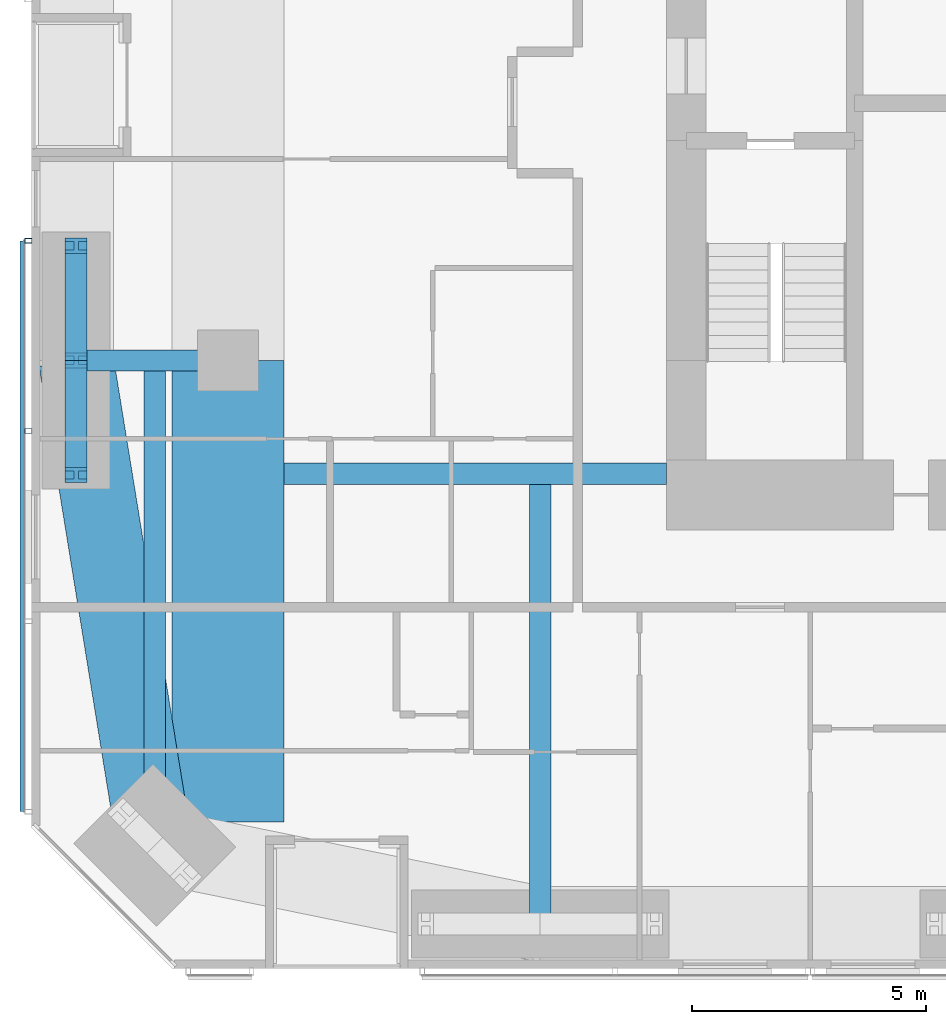
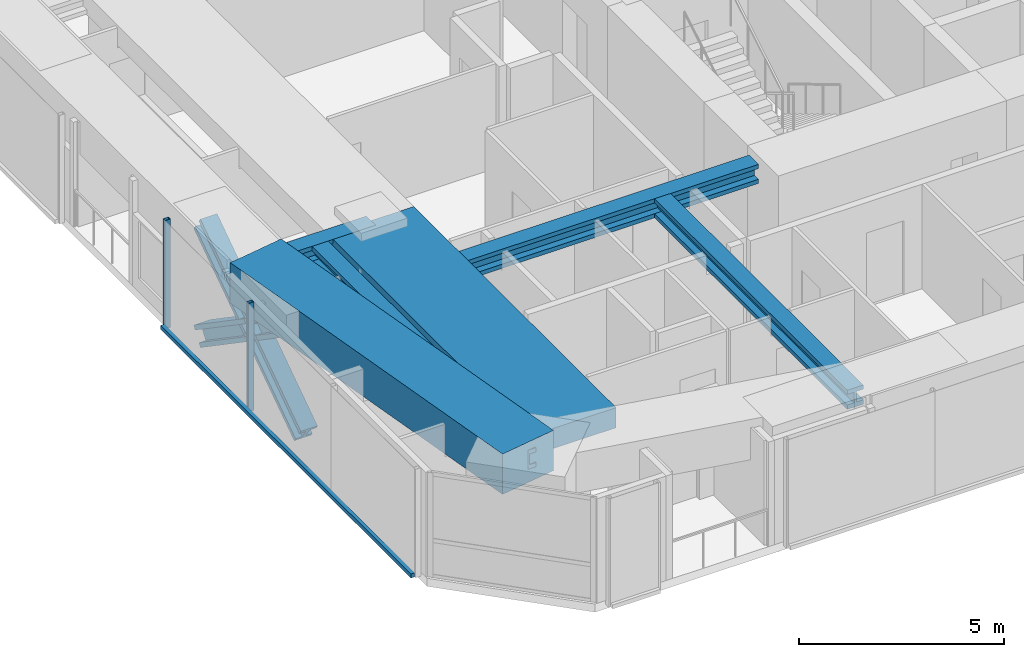
# One storey, part 3 of 23: 7 members, 6 beams, 1 element without a shape of its own.
"""IFC4 building model written with IfcOpenShell, lengths in metres."""

from ifc_helpers import new_model, si_unit, direction, frame, origin, origin_2d, place, context, subcontext, project, spatial, rectangle, hollow_rectangle, i_section, extrude, material, material_profile, profile_set, type_object, element, aggregate, save


model = new_model("IFC4")

# Units and contexts
model_context = context("Model", 3, precision=1e-05, world=origin(), true_north=direction((0.0, 1.0)))
body_context = subcontext(model_context, "Body", "Model", "MODEL_VIEW")
ifc_project = project(units=[si_unit("LENGTHUNIT", "METRE"), si_unit("AREAUNIT", "SQUARE_METRE"), si_unit("VOLUMEUNIT", "CUBIC_METRE"), si_unit("PLANEANGLEUNIT", "RADIAN"), si_unit("MASSUNIT", "GRAM", prefix="KILO")], contexts=[model_context])

# Site, building, storey
site_placement = place(None, origin())
site = spatial("IfcSite", under=ifc_project, at=site_placement, CompositionType="ELEMENT")
building_placement = place(site_placement, origin())
building = spatial("IfcBuilding", under=site, at=building_placement, Name="Jalousie Tower", CompositionType="ELEMENT")
storey_placement = place(building_placement, frame((0.0, 0.0, 114.89990234375)))
storey = spatial("IfcBuildingStorey", under=building, at=storey_placement, Name="L31", CompositionType="ELEMENT", Elevation=114.89990234375)

# Beams
ifc_material_1 = material(Name="Steel ASTM A992 Grade 50", Category="steel")
ifc_material_profile_1 = material_profile(ifc_material_1, i_section(OverallWidth=0.45458984375, OverallDepth=0.569091796875, WebThickness=0.077880859375, FlangeThickness=0.124755859375, at=origin_2d()), Name="W14X730")
ifc_profile_set_1 = profile_set([ifc_material_profile_1], Name="Steel ASTM A992 Grade 50")
beam_type_1 = type_object("IfcBeamType", Name="LEAN COLLECTOR W14X730", PredefinedType="BEAM", material=ifc_profile_set_1)
beam_1_placement = place(storey_placement, frame((6.949951171875, 13.0, 2.82568359375), z_axis=(1.0, 0.0, 0.0), x_axis=(0.0, 1.0, 0.0)))
element("IfcBeam", 1, at=beam_1_placement, inside=storey, type_object=beam_type_1, Name="Lean collector under L32", PredefinedType="BEAM", context=body_context, shape_type="SweptSolid", body=[
    extrude(i_section(OverallWidth=0.45458984375, OverallDepth=0.569091796875, WebThickness=0.077880859375, FlangeThickness=0.124755859375, at=origin_2d()), origin(), (0.0, 0.0, 1.0), 3.25),
])
beam_2_placement = place(storey_placement, frame((11.39990234375, 10.574951171875, 2.82568359375), z_axis=(1.0, 0.0, 0.0), x_axis=(0.0, 1.0, 0.0)))
element("IfcBeam", 2, at=beam_2_placement, inside=storey, type_object=beam_type_1, Name="Lean collector under L32", PredefinedType="BEAM", context=body_context, shape_type="SweptSolid", body=[
    extrude(i_section(OverallWidth=0.45458984375, OverallDepth=0.569091796875, WebThickness=0.077880859375, FlangeThickness=0.124755859375, at=origin_2d()), origin(), (0.0, 0.0, 1.0), 8.175048828125),
])
beam_3_placement = place(storey_placement, frame((8.63134765625, 2.63134765625, 2.82568359375), z_axis=(0.0, 1.0, 0.0), x_axis=(-1.0, 0.0, 0.0)))
element("IfcBeam", 3, at=beam_3_placement, inside=storey, type_object=beam_type_1, Name="Lean collector under L32", PredefinedType="BEAM", context=body_context, shape_type="SweptSolid", body=[
    extrude(i_section(OverallWidth=0.45458984375, OverallDepth=0.569091796875, WebThickness=0.077880859375, FlangeThickness=0.124755859375, at=origin_2d()), origin(), (0.0, 0.0, 1.0), 10.36865234375),
])
beam_4_placement = place(storey_placement, frame((16.875, 0.949951171875, 2.82568359375), z_axis=(0.0, 1.0, 0.0), x_axis=(-1.0, 0.0, 0.0)))
element("IfcBeam", 4, at=beam_4_placement, inside=storey, type_object=beam_type_1, Name="Lean collector under L32", PredefinedType="BEAM", context=body_context, shape_type="SweptSolid", body=[
    extrude(i_section(OverallWidth=0.45458984375, OverallDepth=0.569091796875, WebThickness=0.077880859375, FlangeThickness=0.124755859375, at=origin_2d()), origin(), (0.0, 0.0, 1.0), 9.625),
])

# Members
ifc_material_2 = material(Name="Steel ASTM A992 Grade 50", Category="steel")
ifc_material_profile_2 = material_profile(ifc_material_2, i_section(OverallWidth=0.472412109375, OverallDepth=0.5791015625, WebThickness=0.094970703125, FlangeThickness=0.1298828125, at=origin_2d()), Name="W14X808")
ifc_profile_set_2 = profile_set([ifc_material_profile_2], Name="Steel ASTM A992 Grade 50")
member_type_1 = type_object("IfcMemberType", Name="PERIMETER BRACE W14X808", PredefinedType="BRACE", material=ifc_profile_set_2)
for number, where, z_axis, x_axis, name in (
    (5, (6.949951171875, 10.550048828125, -0.599853515625), (0.0, 0.825500916831, 0.564400776321), (-1.0, 0.0, 0.0), "Perimeter brace 14 L31 part 1"),
    (6, (6.949951171875, 13.0, 1.0751953125), (0.0, 0.825539243753, 0.564344714713), (-1.0, 0.0, 0.0), "Perimeter brace 14 L31 part 2"),
    (7, (6.949951171875, 15.449951171875, -0.599853515625), (0.0, -0.825500916831, 0.564400776321), (1.0, 0.0, 0.0), "Perimeter brace 14 L31 part 3"),
    (8, (6.949951171875, 13.0, 1.0751953125), (0.0, -0.825539243753, 0.564344714713), (1.0, 0.0, 0.0), "Perimeter brace 14 L31 part 4"),
):
    element("IfcMember", number, at=place(storey_placement, frame(where, z_axis=z_axis, x_axis=x_axis)), inside=storey, type_object=member_type_1, Name=name, PredefinedType="BRACE", context=body_context, shape_type="SweptSolid", body=[
        extrude(i_section(OverallWidth=0.472412109375, OverallDepth=0.5791015625, WebThickness=0.094970703125, FlangeThickness=0.1298828125, at=origin_2d()), origin(), (0.0, 0.0, 1.0), 2.9677734375),
    ])

# Beams
ifc_material_3 = material(Name="Concrete f'c 40 MPa", Category="concrete")
ifc_material_profile_3 = material_profile(ifc_material_3, rectangle(XDim=1.60009765625, YDim=1.199951171875, at=origin_2d()), Name="RC 1600x1200")
ifc_profile_set_3 = profile_set([ifc_material_profile_3], Name="Concrete f'c 40 MPa")
beam_type_2 = type_object("IfcBeamType", Name="RC BEAM 1600x1200", PredefinedType="BEAM", material=ifc_profile_set_3)
beam_5_placement = place(storey_placement, frame((6.949951171875, 13.0, 2.75), z_axis=(0.160070546476, -0.987105577003, 0.0), x_axis=(0.987105577003, 0.160070546476, 0.0)))
element("IfcBeam", 9, at=beam_5_placement, inside=storey, type_object=beam_type_2, Name="Edge band beam 14-01 under L32", PredefinedType="BEAM", context=body_context, shape_type="SweptSolid", body=[
    extrude(rectangle(XDim=1.60009765625, YDim=1.199951171875, at=origin_2d()), origin(), (0.0, 0.0, 1.0), 10.504150390625),
])
ifc_material_4 = material(Name="Concrete f'c 40 MPa", Category="concrete")
ifc_material_profile_4 = material_profile(ifc_material_4, rectangle(XDim=2.39990234375, YDim=0.60009765625, at=origin_2d()), Name="RC 2400x600")
ifc_profile_set_4 = profile_set([ifc_material_profile_4], Name="Concrete f'c 40 MPa")
beam_type_3 = type_object("IfcBeamType", Name="RC BEAM 2400x600", PredefinedType="BEAM", material=ifc_profile_set_4)
beam_6_placement = place(storey_placement, frame((10.199951171875, 13.0, 2.81005859375), z_axis=(0.0, -1.0, 0.0), x_axis=(1.0, 0.0, 0.0)))
element("IfcBeam", 10, at=beam_6_placement, inside=storey, type_object=beam_type_3, Name="Floor band beam under L32", PredefinedType="BEAM", context=body_context, shape_type="SweptSolid", body=[
    extrude(rectangle(XDim=2.39990234375, YDim=0.60009765625, at=origin_2d()), origin(), (0.0, 0.0, 1.0), 9.8720703125),
])

# Curtain wall, members
ifc_material_5 = material(Name="Perforated aluminium sheet", Category="aluminium")
curtain_wall_type = type_object("IfcCurtainWallType", Name="SOLAR SCREEN SS-1", PredefinedType="USERDEFINED", material=ifc_material_5)
curtain_wall_placement = place(storey_placement, origin())
curtain_wall = element("IfcCurtainWall", 11, at=curtain_wall_placement, inside=storey, type_object=curtain_wall_type, Name="Solar screen L31", ObjectType="SOLAR SCREEN SS-1", PredefinedType="USERDEFINED")
ifc_material_6 = material(Name="Steel ASTM A500 Grade C", Category="steel")
ifc_material_profile_5 = material_profile(ifc_material_6, hollow_rectangle(XDim=0.1015625, YDim=0.15234375, WallThickness=0.00634765625, at=origin_2d()), Name="HSS6X4X1/4")
ifc_profile_set_5 = profile_set([ifc_material_profile_5], Name="Steel ASTM A500 Grade C")
member_type_2 = type_object("IfcMemberType", Name="SOLAR SCREEN SS-1 MULLION", PredefinedType="MULLION", material=ifc_profile_set_5)
member_1_placement = place(storey_placement, frame((5.9287109375, 15.55810546875, -0.119873046875), z_axis=(0.0, 0.0, 1.0), x_axis=(0.0, -1.0, 0.0)))
member_1 = element("IfcMember", 12, at=member_1_placement, type_object=member_type_2, Name="SS1 post 1", PredefinedType="MULLION", context=body_context, shape_type="SweptSolid", body=[
    extrude(hollow_rectangle(XDim=0.1015625, YDim=0.15234375, WallThickness=0.00634765625, at=origin_2d()), origin(), (0.0, 0.0, 1.0), 3.22998046875),
])
member_2_placement = place(storey_placement, frame((5.9287109375, 11.4892578125, -0.119873046875), z_axis=(0.0, 0.0, 1.0), x_axis=(0.0, -1.0, 0.0)))
member_2 = element("IfcMember", 13, at=member_2_placement, type_object=member_type_2, Name="SS1 post 2", PredefinedType="MULLION", context=body_context, shape_type="SweptSolid", body=[
    extrude(hollow_rectangle(XDim=0.1015625, YDim=0.15234375, WallThickness=0.00634765625, at=origin_2d()), origin(), (0.0, 0.0, 1.0), 3.22998046875),
])
ifc_material_7 = material(Name="Extruded aluminium screen rail", Category="aluminium")
ifc_material_profile_6 = material_profile(ifc_material_7, rectangle(XDim=0.1015625, YDim=0.1201171875, at=origin_2d()), Name="RAIL 102x120")
ifc_profile_set_6 = profile_set([ifc_material_profile_6], Name="Extruded aluminium screen rail")
member_type_3 = type_object("IfcMemberType", Name="SOLAR SCREEN SS-1 TRANSOM", PredefinedType="USERDEFINED", material=ifc_profile_set_6)
member_3_placement = place(storey_placement, frame((5.8017578125, 15.55810546875, -0.059814453125), z_axis=(0.0, -1.0, 0.0), x_axis=(1.0, 0.0, 0.0)))
member_3 = element("IfcMember", 14, at=member_3_placement, type_object=member_type_3, Name="SS1 rail", ObjectType="TRANSOM", PredefinedType="USERDEFINED", context=body_context, shape_type="SweptSolid", body=[
    extrude(rectangle(XDim=0.1015625, YDim=0.1201171875, at=origin_2d()), origin(), (0.0, 0.0, 1.0), 12.206787109375),
])
aggregate(curtain_wall, [member_1, member_2, member_3])

save(model, "model.ifc")
